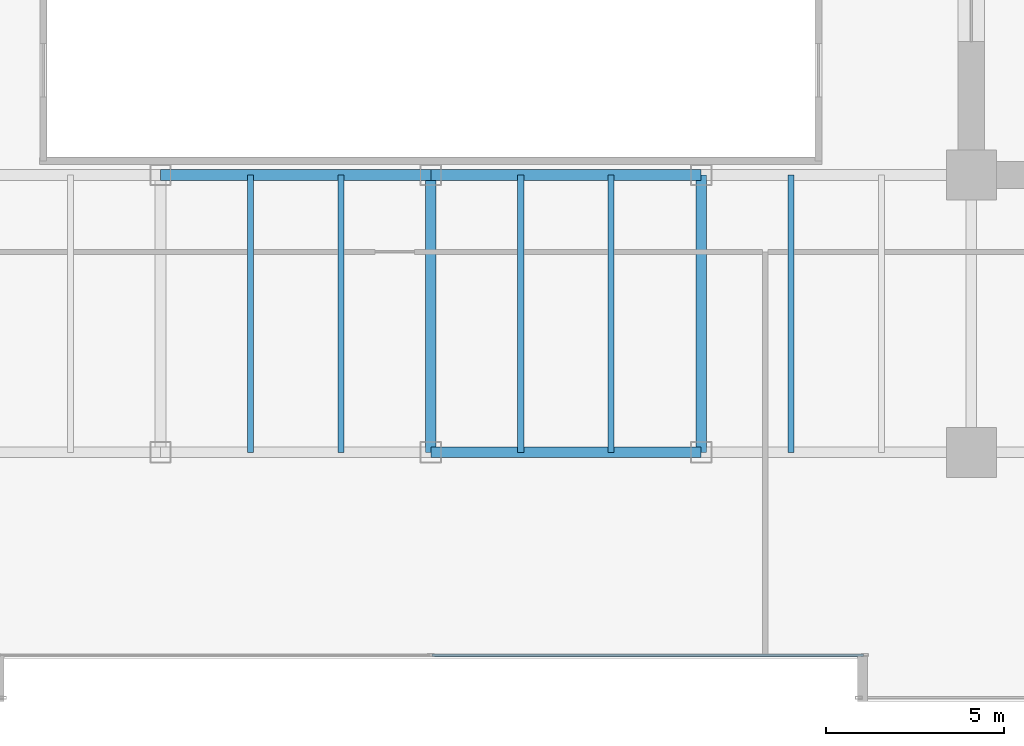
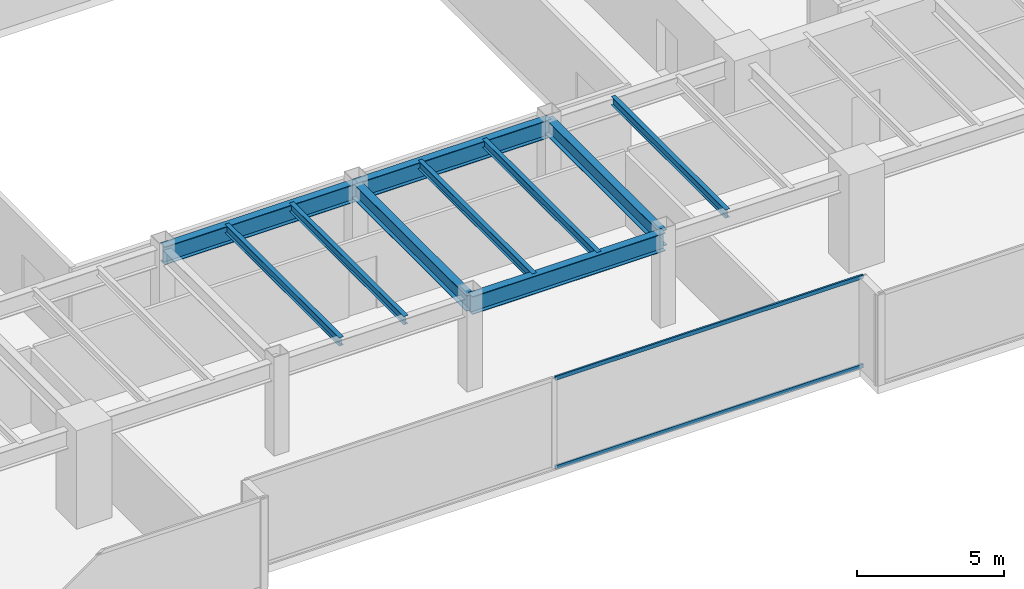
# One storey, part 9 of 35: 10 beams, 2 members, 1 element without a shape of its own.
"""IFC4 building model written with IfcOpenShell, lengths in metres."""

from ifc_helpers import new_model, si_unit, direction, frame, origin, origin_2d, place, context, subcontext, project, spatial, hollow_rectangle, i_section, extrude, source, transform, mapped, material, layer, layer_set, material_profile, profile_set, type_object, type_shapes, element, aggregate, save


model = new_model("IFC4")

# Units and contexts
model_context = context("Model", 3, precision=1e-05, world=origin(), true_north=direction((0.0, 1.0)))
body_context = subcontext(model_context, "Body", "Model", "MODEL_VIEW")
ifc_project = project(units=[si_unit("LENGTHUNIT", "METRE"), si_unit("AREAUNIT", "SQUARE_METRE"), si_unit("VOLUMEUNIT", "CUBIC_METRE"), si_unit("PLANEANGLEUNIT", "RADIAN"), si_unit("MASSUNIT", "GRAM", prefix="KILO")], contexts=[model_context])

# Site, building, storey
site_placement = place(None, origin())
site = spatial("IfcSite", under=ifc_project, at=site_placement, CompositionType="ELEMENT")
building_placement = place(site_placement, origin())
building = spatial("IfcBuilding", under=site, at=building_placement, Name="Haelvirn Gate Laboratories", CompositionType="ELEMENT")
storey_placement = place(building_placement, frame((0.0, 0.0, 90.800048828125)))
storey = spatial("IfcBuildingStorey", under=building, at=storey_placement, Name="L22", CompositionType="ELEMENT", Elevation=90.800048828125)

# Beams
ifc_material_1 = material(Name="Steel SM355", Category="steel")
ifc_material_profile_1 = material_profile(ifc_material_1, i_section(OverallWidth=0.300048828125, OverallDepth=0.75, WebThickness=0.013916015625, FlangeThickness=0.02392578125, at=origin_2d()), Name="H-750x300x14x24")
ifc_profile_set_1 = profile_set([ifc_material_profile_1], Name="Steel SM355")
beam_type_1 = type_object("IfcBeamType", Name="BM-G-750", PredefinedType="BEAM", material=ifc_profile_set_1)
shared_shape_1 = source(origin(), body_context, "Body", "SweptSolid", [
    extrude(i_section(OverallWidth=0.300048828125, OverallDepth=0.75, WebThickness=0.013916015625, FlangeThickness=0.02392578125, at=origin_2d()), origin(), (0.0, 0.0, 1.0), 7.60009765625),
])
for number, where, z_axis, x_axis, name in (
    (1, (37.39990234375, 7.0, 3.405029296875), (1.0, 0.0, 0.0), (0.0, 1.0, 0.0), "L22 Primary Girder Y7.0 (37.4-45.0)"),
    (2, (37.39990234375, 14.800048828125, 3.405029296875), (1.0, 0.0, 0.0), (0.0, 1.0, 0.0), "L22 Primary Girder Y14.8 (37.4-45.0)"),
):
    element("IfcBeam", number, at=place(storey_placement, frame(where, z_axis=z_axis, x_axis=x_axis)), inside=storey, type_object=beam_type_1, Name=name, PredefinedType="BEAM", context=body_context, shape_type="MappedRepresentation", body=[
        mapped(shared_shape_1, transform((0.0, 0.0, 0.0), scale=1.0)),
    ])
shared_shape_2 = source(origin(), body_context, "Body", "SweptSolid", [
    extrude(i_section(OverallWidth=0.300048828125, OverallDepth=0.75, WebThickness=0.013916015625, FlangeThickness=0.02392578125, at=origin_2d()), origin(), (0.0, 0.0, 1.0), 7.599853515625),
])
type_shapes(beam_type_1, [shared_shape_1, shared_shape_2])
beam_placement = place(storey_placement, frame((29.800048828125, 14.800048828125, 3.405029296875), z_axis=(1.0, 0.0, 0.0), x_axis=(0.0, 1.0, 0.0)))
element("IfcBeam", 3, at=beam_placement, inside=storey, type_object=beam_type_1, Name="L22 Primary Girder Y14.8 (29.8-37.4)", PredefinedType="BEAM", context=body_context, shape_type="MappedRepresentation", body=[
    mapped(shared_shape_2, transform((0.0, 0.0, 0.0), scale=1.0)),
])
ifc_material_profile_2 = material_profile(ifc_material_1, i_section(OverallWidth=0.175048828125, OverallDepth=0.35009765625, WebThickness=0.007080078125, FlangeThickness=0.010986328125, at=origin_2d()), Name="H-350x175x7x11")
ifc_profile_set_2 = profile_set([ifc_material_profile_2], Name="Steel SM355")
beam_type_2 = type_object("IfcBeamType", Name="BM-J-350", PredefinedType="JOIST", material=ifc_profile_set_2)
shared_shape_3 = source(origin(), body_context, "Body", "SweptSolid", [
    extrude(i_section(OverallWidth=0.175048828125, OverallDepth=0.35009765625, WebThickness=0.007080078125, FlangeThickness=0.010986328125, at=origin_2d()), origin(), (0.0, 0.0, 1.0), 7.800048828125),
])
type_shapes(beam_type_2, [shared_shape_3])
for number, where, z_axis, x_axis, name in (
    (4, (32.330078125, 7.0, 3.60498046875), (0.0, 1.0, 0.0), (-1.0, 0.0, 0.0), "L22 Composite Lab Joist South X32.33"),
    (5, (34.8701171875, 7.0, 3.60498046875), (0.0, 1.0, 0.0), (-1.0, 0.0, 0.0), "L22 Composite Lab Joist South X34.87"),
    (6, (39.929931640625, 7.0, 3.60498046875), (0.0, 1.0, 0.0), (-1.0, 0.0, 0.0), "L22 Composite Lab Joist South X39.93"),
    (7, (42.469970703125, 7.0, 3.60498046875), (0.0, 1.0, 0.0), (-1.0, 0.0, 0.0), "L22 Composite Lab Joist South X42.47"),
    (8, (47.530029296875, 7.0, 3.60498046875), (0.0, 1.0, 0.0), (-1.0, 0.0, 0.0), "L22 Composite Lab Joist South X47.53"),
):
    element("IfcBeam", number, at=place(storey_placement, frame(where, z_axis=z_axis, x_axis=x_axis)), inside=storey, type_object=beam_type_2, Name=name, PredefinedType="JOIST", context=body_context, shape_type="MappedRepresentation", body=[
        mapped(shared_shape_3, transform((0.0, 0.0, 0.0), scale=1.0)),
    ])
ifc_material_profile_3 = material_profile(ifc_material_1, i_section(OverallWidth=0.300048828125, OverallDepth=0.64990234375, WebThickness=0.012939453125, FlangeThickness=0.02197265625, at=origin_2d()), Name="H-650x300x13x22")
ifc_profile_set_3 = profile_set([ifc_material_profile_3], Name="Steel SM355")
beam_type_3 = type_object("IfcBeamType", Name="BM-G-650", PredefinedType="BEAM", material=ifc_profile_set_3)
shared_shape_4 = source(origin(), body_context, "Body", "SweptSolid", [
    extrude(i_section(OverallWidth=0.300048828125, OverallDepth=0.64990234375, WebThickness=0.012939453125, FlangeThickness=0.02197265625, at=origin_2d()), origin(), (0.0, 0.0, 1.0), 7.800048828125),
])
type_shapes(beam_type_3, [shared_shape_4])
for number, where, z_axis, x_axis, name in (
    (9, (37.39990234375, 7.0, 3.454833984375), (0.0, 1.0, 0.0), (-1.0, 0.0, 0.0), "L22 Frame Girder X37.4 (7.0-14.8)"),
    (10, (45.0, 7.0, 3.454833984375), (0.0, 1.0, 0.0), (-1.0, 0.0, 0.0), "L22 Frame Girder X45.0 (7.0-14.8)"),
):
    element("IfcBeam", number, at=place(storey_placement, frame(where, z_axis=z_axis, x_axis=x_axis)), inside=storey, type_object=beam_type_3, Name=name, PredefinedType="BEAM", context=body_context, shape_type="MappedRepresentation", body=[
        mapped(shared_shape_4, transform((0.0, 0.0, 0.0), scale=1.0)),
    ])

# Curtain wall, members
ifc_material_2 = material(Name="Anodised bronze unitised aluminium & triple low-E glass", Category="aluminium")
ifc_layer = layer(ifc_material_2, 0.18408203125, Name="CW-SYS-2")
ifc_layer_set = layer_set([ifc_layer], Name="Anodised bronze unitised aluminium & triple low-E glass")
curtain_wall_type = type_object("IfcCurtainWallType", Name="CW-SYS-2", PredefinedType="NOTDEFINED", material=ifc_layer_set)
curtain_wall_placement = place(storey_placement, origin())
curtain_wall = element("IfcCurtainWall", 11, at=curtain_wall_placement, inside=storey, type_object=curtain_wall_type, Name="L22 Unitised Curtain Wall CW-L22-P0-E02-1", PredefinedType="NOTDEFINED")
ifc_material_3 = material(Name="Extruded aluminium 6063-T6 (anodised bronze)", Category="aluminium")
ifc_material_profile_4 = material_profile(ifc_material_3, hollow_rectangle(XDim=0.070068359375, YDim=0.159912109375, WallThickness=0.0048828125, at=origin_2d()), Name="CWT-160x70x5")
ifc_profile_set_4 = profile_set([ifc_material_profile_4], Name="Extruded aluminium 6063-T6 (anodised bronze)")
member_type = type_object("IfcMemberType", Name="CWT-T160", PredefinedType="USERDEFINED", material=ifc_profile_set_4)
shared_shape_5 = source(origin(), body_context, "Body", "SweptSolid", [
    extrude(hollow_rectangle(XDim=0.070068359375, YDim=0.159912109375, WallThickness=0.0048828125, at=origin_2d()), origin(), (0.0, 0.0, 1.0), 12.12744140625),
])
type_shapes(member_type, [shared_shape_5])
member_1_placement = place(storey_placement, frame((37.4375, 1.300048828125, 0.034912109375), z_axis=(1.0, 0.0, 0.0), x_axis=(0.0, 1.0, 0.0)))
member_1 = element("IfcMember", 12, at=member_1_placement, type_object=member_type, Name="CW2 transom 2.1", ObjectType="TRANSOM", PredefinedType="USERDEFINED", context=body_context, shape_type="MappedRepresentation", body=[
    mapped(shared_shape_5, transform((0.0, 0.0, 0.0), scale=1.0)),
])
member_2_placement = place(storey_placement, frame((37.4375, 1.300048828125, 3.744873046875), z_axis=(1.0, 0.0, 0.0), x_axis=(0.0, 1.0, 0.0)))
member_2 = element("IfcMember", 13, at=member_2_placement, type_object=member_type, Name="CW2 transom 2.2", ObjectType="TRANSOM", PredefinedType="USERDEFINED", context=body_context, shape_type="MappedRepresentation", body=[
    mapped(shared_shape_5, transform((0.0, 0.0, 0.0), scale=1.0)),
])
aggregate(curtain_wall, [member_1, member_2])

save(model, "model.ifc")
